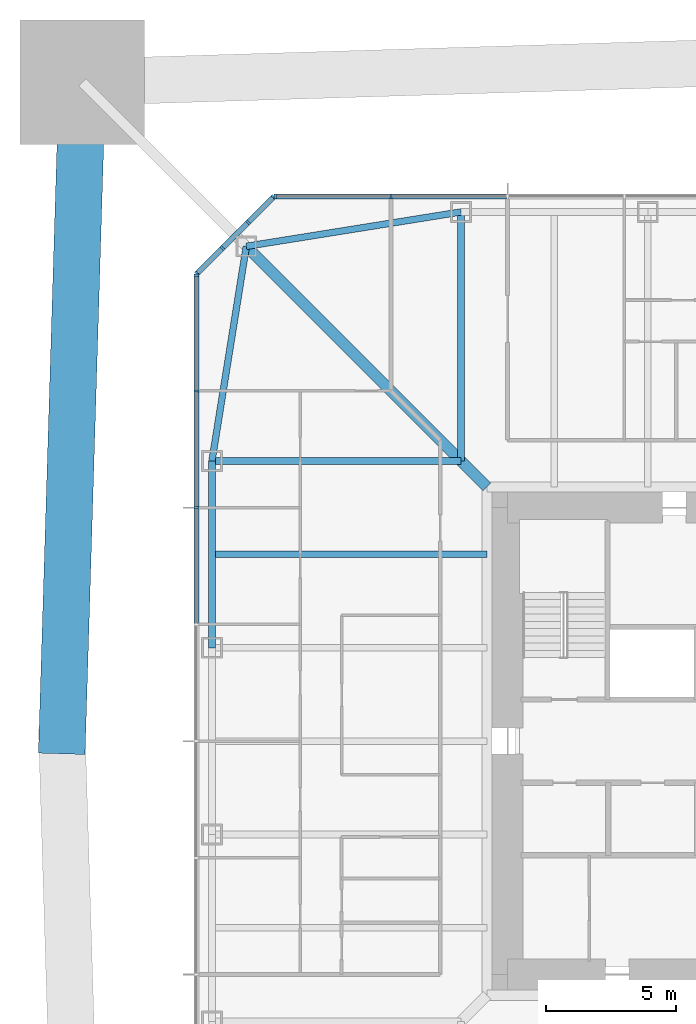
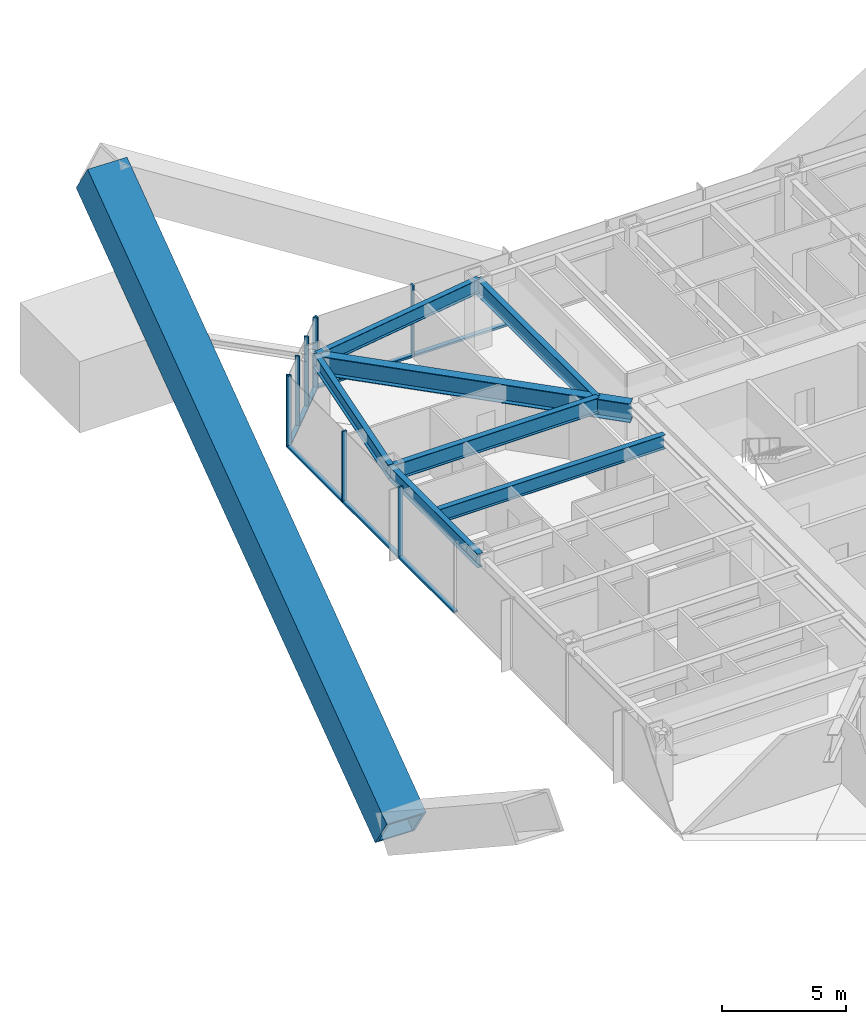
# One storey, part 7 of 28: 18 members, 7 beams, 3 elements without a shape of their own.
"""IFC4 building model written with IfcOpenShell, lengths in metres."""

from ifc_helpers import new_model, si_unit, direction, frame, origin, origin_2d, place, context, subcontext, project, spatial, rectangle, hollow_rectangle, i_section, extrude, material, material_profile, profile_set, type_object, element, aggregate, save


model = new_model("IFC4")

# Units and contexts
model_context = context("Model", 3, precision=1e-05, world=origin(), true_north=direction((0.0, 1.0)))
body_context = subcontext(model_context, "Body", "Model", "MODEL_VIEW")
ifc_project = project(units=[si_unit("LENGTHUNIT", "METRE"), si_unit("AREAUNIT", "SQUARE_METRE"), si_unit("VOLUMEUNIT", "CUBIC_METRE"), si_unit("PLANEANGLEUNIT", "RADIAN"), si_unit("MASSUNIT", "GRAM", prefix="KILO")], contexts=[model_context])

# Site, building, storey
site_placement = place(None, origin())
site = spatial("IfcSite", under=ifc_project, at=site_placement, CompositionType="ELEMENT")
building_placement = place(site_placement, origin())
building = spatial("IfcBuilding", under=site, at=building_placement, Name="Iwan Alto Co-Living Towers", CompositionType="ELEMENT")
storey_placement = place(building_placement, frame((0.0, 0.0, 98.0)))
storey = spatial("IfcBuildingStorey", under=building, at=storey_placement, Name="L26", CompositionType="ELEMENT", Elevation=98.0)

# Curtain wall, members
ifc_material_1 = material(Name="Bronze aluminium unitised frame", Category="aluminium")
curtain_wall_type_1 = type_object("IfcCurtainWallType", Name="CURTAIN WALL CW-A", PredefinedType="NOTDEFINED", material=ifc_material_1)
curtain_wall_1_placement = place(storey_placement, origin())
curtain_wall_1 = element("IfcCurtainWall", 1, at=curtain_wall_1_placement, inside=storey, type_object=curtain_wall_type_1, Name="T1 curtain wall N L26", PredefinedType="NOTDEFINED")
ifc_material_2 = material(Name="Aluminium 6063-T6 bronze anodised", Category="aluminium")
ifc_material_profile_1 = material_profile(ifc_material_2, rectangle(XDim=0.199951171875, YDim=0.080078125, at=origin_2d()), Name="AL 80X200")
ifc_profile_set_1 = profile_set([ifc_material_profile_1], Name="Aluminium 6063-T6 bronze anodised")
member_type_1 = type_object("IfcMemberType", Name="CW-A MULLION 80X200", PredefinedType="MULLION", material=ifc_profile_set_1)
member_1_placement = place(storey_placement, frame((-13.5, 21.0, 0.0), z_axis=(0.0, 0.0, 1.0), x_axis=(0.0, -1.0, 0.0)))
member_1 = element("IfcMember", 2, at=member_1_placement, type_object=member_type_1, Name="CW-A mullion 8", PredefinedType="MULLION", context=body_context, shape_type="SweptSolid", body=[
    extrude(rectangle(XDim=0.199951171875, YDim=0.080078125, at=origin_2d()), origin(), (0.0, 0.0, 1.0), 3.5),
])
member_2_placement = place(storey_placement, frame((-17.9599609375, 21.0, 0.0), z_axis=(0.0, 0.0, 1.0), x_axis=(0.0, -1.0, 0.0)))
member_2 = element("IfcMember", 3, at=member_2_placement, type_object=member_type_1, Name="CW-A mullion 9", PredefinedType="MULLION", context=body_context, shape_type="SweptSolid", body=[
    extrude(rectangle(XDim=0.199951171875, YDim=0.080078125, at=origin_2d()), origin(), (0.0, 0.0, 1.0), 3.5),
])

curtain_wall_2_placement = place(storey_placement, origin())
curtain_wall_2 = element("IfcCurtainWall", 4, at=curtain_wall_2_placement, inside=storey, type_object=curtain_wall_type_1, Name="T1 curtain wall W L26", PredefinedType="NOTDEFINED")
member_3_placement = place(storey_placement, frame((-21.0, 17.9599609375, 0.0), z_axis=(0.0, 0.0, 1.0), x_axis=(1.0, 0.0, 0.0)))
member_3 = element("IfcMember", 5, at=member_3_placement, type_object=member_type_1, Name="CW-A mullion 1", PredefinedType="MULLION", context=body_context, shape_type="SweptSolid", body=[
    extrude(rectangle(XDim=0.199951171875, YDim=0.080078125, at=origin_2d()), origin(), (0.0, 0.0, 1.0), 3.5),
])
member_4_placement = place(storey_placement, frame((-21.0, 13.5, 0.0), z_axis=(0.0, 0.0, 1.0), x_axis=(1.0, 0.0, 0.0)))
member_4 = element("IfcMember", 6, at=member_4_placement, type_object=member_type_1, Name="CW-A mullion 2", PredefinedType="MULLION", context=body_context, shape_type="SweptSolid", body=[
    extrude(rectangle(XDim=0.199951171875, YDim=0.080078125, at=origin_2d()), origin(), (0.0, 0.0, 1.0), 3.5),
])
member_5_placement = place(storey_placement, frame((-21.0, 9.0, 0.0), z_axis=(0.0, 0.0, 1.0), x_axis=(1.0, 0.0, 0.0)))
member_5 = element("IfcMember", 7, at=member_5_placement, type_object=member_type_1, Name="CW-A mullion 3", PredefinedType="MULLION", context=body_context, shape_type="SweptSolid", body=[
    extrude(rectangle(XDim=0.199951171875, YDim=0.080078125, at=origin_2d()), origin(), (0.0, 0.0, 1.0), 3.5),
])

# Member
ifc_material_3 = material(Name="Aluminium 6063-T6 bronze anodised", Category="aluminium")
ifc_material_profile_2 = material_profile(ifc_material_3, rectangle(XDim=0.199951171875, YDim=0.10009765625, at=origin_2d()), Name="AL 200X100")
ifc_profile_set_2 = profile_set([ifc_material_profile_2], Name="Aluminium 6063-T6 bronze anodised")
member_type_2 = type_object("IfcMemberType", Name="CW-A TRANSOM 200X100", PredefinedType="USERDEFINED", material=ifc_profile_set_2)
member_6_placement = place(storey_placement, frame((-9.0400390625, 21.0, 0.050048828125), z_axis=(-1.0, 0.0, 0.0), x_axis=(0.0, -1.0, 0.0)))
member_6 = element("IfcMember", 8, at=member_6_placement, type_object=member_type_2, Name="CW-A transom 7.1", ObjectType="TRANSOM", PredefinedType="USERDEFINED", context=body_context, shape_type="SweptSolid", body=[
    extrude(rectangle(XDim=0.199951171875, YDim=0.10009765625, at=origin_2d()), origin(), (0.0, 0.0, 1.0), 4.419921875),
])

member_7_placement = place(storey_placement, frame((-13.5400390625, 21.0, 0.050048828125), z_axis=(-1.0, 0.0, 0.0), x_axis=(0.0, -1.0, 0.0)))
member_7 = element("IfcMember", 9, at=member_7_placement, type_object=member_type_2, Name="CW-A transom 8.1", ObjectType="TRANSOM", PredefinedType="USERDEFINED", context=body_context, shape_type="SweptSolid", body=[
    extrude(rectangle(XDim=0.199951171875, YDim=0.10009765625, at=origin_2d()), origin(), (0.0, 0.0, 1.0), 4.3798828125),
])

aggregate(curtain_wall_1, [member_1, member_2, member_6, member_7])

member_8_placement = place(storey_placement, frame((-21.0, 17.919921875, 0.050048828125), z_axis=(0.0, -1.0, 0.0), x_axis=(1.0, 0.0, 0.0)))
member_8 = element("IfcMember", 10, at=member_8_placement, type_object=member_type_2, Name="CW-A transom 1.1", ObjectType="TRANSOM", PredefinedType="USERDEFINED", context=body_context, shape_type="SweptSolid", body=[
    extrude(rectangle(XDim=0.199951171875, YDim=0.10009765625, at=origin_2d()), origin(), (0.0, 0.0, 1.0), 4.3798828125),
])

member_9_placement = place(storey_placement, frame((-21.0, 13.4599609375, 0.050048828125), z_axis=(0.0, -1.0, 0.0), x_axis=(1.0, 0.0, 0.0)))
member_9 = element("IfcMember", 11, at=member_9_placement, type_object=member_type_2, Name="CW-A transom 2.1", ObjectType="TRANSOM", PredefinedType="USERDEFINED", context=body_context, shape_type="SweptSolid", body=[
    extrude(rectangle(XDim=0.199951171875, YDim=0.10009765625, at=origin_2d()), origin(), (0.0, 0.0, 1.0), 4.419921875),
])

member_10_placement = place(storey_placement, frame((-21.0, 8.9599609375, 0.050048828125), z_axis=(0.0, -1.0, 0.0), x_axis=(1.0, 0.0, 0.0)))
member_10 = element("IfcMember", 12, at=member_10_placement, type_object=member_type_2, Name="CW-A transom 3.1", ObjectType="TRANSOM", PredefinedType="USERDEFINED", context=body_context, shape_type="SweptSolid", body=[
    extrude(rectangle(XDim=0.199951171875, YDim=0.10009765625, at=origin_2d()), origin(), (0.0, 0.0, 1.0), 4.419921875),
])

aggregate(curtain_wall_2, [member_3, member_4, member_5, member_8, member_9, member_10])

# Curtain wall, members
ifc_material_4 = material(Name="Bronze aluminium unitised frame", Category="aluminium")
curtain_wall_type_2 = type_object("IfcCurtainWallType", Name="CURTAIN WALL CW-B", PredefinedType="NOTDEFINED", material=ifc_material_4)
curtain_wall_3_placement = place(storey_placement, origin())
curtain_wall_3 = element("IfcCurtainWall", 13, at=curtain_wall_3_placement, inside=storey, type_object=curtain_wall_type_2, Name="T1 chamfer curtain wall NW L26", PredefinedType="NOTDEFINED")
ifc_material_5 = material(Name="Aluminium 6063-T6 bronze anodised", Category="aluminium")
ifc_material_profile_3 = material_profile(ifc_material_5, rectangle(XDim=0.199951171875, YDim=0.080078125, at=origin_2d()), Name="AL 80X200")
ifc_profile_set_3 = profile_set([ifc_material_profile_3], Name="Aluminium 6063-T6 bronze anodised")
member_type_3 = type_object("IfcMemberType", Name="CW-B MULLION 80X200", PredefinedType="MULLION", material=ifc_profile_set_3)
member_11_placement = place(storey_placement, frame((-18.0283203125, 20.9716796875, 0.0), z_axis=(0.0, 0.0, 1.0), x_axis=(0.707106781187, -0.707106781187, 0.0)))
member_11 = element("IfcMember", 14, at=member_11_placement, type_object=member_type_3, Name="CW-B mullion 1", PredefinedType="MULLION", context=body_context, shape_type="SweptSolid", body=[
    extrude(rectangle(XDim=0.199951171875, YDim=0.080078125, at=origin_2d()), origin(), (0.0, 0.0, 1.0), 3.5),
])
member_12_placement = place(storey_placement, frame((-19.0, 20.0, 0.0), z_axis=(0.0, 0.0, 1.0), x_axis=(0.707106781187, -0.707106781187, 0.0)))
member_12 = element("IfcMember", 15, at=member_12_placement, type_object=member_type_3, Name="CW-B mullion 2", PredefinedType="MULLION", context=body_context, shape_type="SweptSolid", body=[
    extrude(rectangle(XDim=0.199951171875, YDim=0.080078125, at=origin_2d()), origin(), (0.0, 0.0, 1.0), 3.5),
])
member_13_placement = place(storey_placement, frame((-20.0, 19.0, 0.0), z_axis=(0.0, 0.0, 1.0), x_axis=(0.707106781187, -0.707106781187, 0.0)))
member_13 = element("IfcMember", 16, at=member_13_placement, type_object=member_type_3, Name="CW-B mullion 3", PredefinedType="MULLION", context=body_context, shape_type="SweptSolid", body=[
    extrude(rectangle(XDim=0.199951171875, YDim=0.080078125, at=origin_2d()), origin(), (0.0, 0.0, 1.0), 3.5),
])
member_14_placement = place(storey_placement, frame((-20.9716796875, 18.0283203125, 0.0), z_axis=(0.0, 0.0, 1.0), x_axis=(0.707106781187, -0.707106781187, 0.0)))
member_14 = element("IfcMember", 17, at=member_14_placement, type_object=member_type_3, Name="CW-B mullion 4", PredefinedType="MULLION", context=body_context, shape_type="SweptSolid", body=[
    extrude(rectangle(XDim=0.199951171875, YDim=0.080078125, at=origin_2d()), origin(), (0.0, 0.0, 1.0), 3.5),
])
ifc_material_6 = material(Name="Aluminium 6063-T6 bronze anodised", Category="aluminium")
ifc_material_profile_4 = material_profile(ifc_material_6, rectangle(XDim=0.199951171875, YDim=0.10009765625, at=origin_2d()), Name="AL 200X100")
ifc_profile_set_4 = profile_set([ifc_material_profile_4], Name="Aluminium 6063-T6 bronze anodised")
member_type_4 = type_object("IfcMemberType", Name="CW-B TRANSOM 200X100", PredefinedType="USERDEFINED", material=ifc_profile_set_4)
member_15_placement = place(storey_placement, frame((-18.056640625, 20.943359375, 0.050048828125), z_axis=(-0.707106781187, -0.707106781187, 0.0), x_axis=(0.707106781187, -0.707106781187, 0.0)))
member_15 = element("IfcMember", 18, at=member_15_placement, type_object=member_type_4, Name="CW-B transom 1.1", ObjectType="TRANSOM", PredefinedType="USERDEFINED", context=body_context, shape_type="SweptSolid", body=[
    extrude(rectangle(XDim=0.199951171875, YDim=0.10009765625, at=origin_2d()), origin(), (0.0, 0.0, 1.0), 1.2939453125),
])
member_16_placement = place(storey_placement, frame((-19.0283203125, 19.9716796875, 0.050048828125), z_axis=(-0.707106781187, -0.707106781187, 0.0), x_axis=(0.707106781187, -0.707106781187, 0.0)))
member_16 = element("IfcMember", 19, at=member_16_placement, type_object=member_type_4, Name="CW-B transom 2.1", ObjectType="TRANSOM", PredefinedType="USERDEFINED", context=body_context, shape_type="SweptSolid", body=[
    extrude(rectangle(XDim=0.199951171875, YDim=0.10009765625, at=origin_2d()), origin(), (0.0, 0.0, 1.0), 1.334228515625),
])
member_17_placement = place(storey_placement, frame((-20.0283203125, 18.9716796875, 0.050048828125), z_axis=(-0.707106781187, -0.707106781187, 0.0), x_axis=(0.707106781187, -0.707106781187, 0.0)))
member_17 = element("IfcMember", 20, at=member_17_placement, type_object=member_type_4, Name="CW-B transom 3.1", ObjectType="TRANSOM", PredefinedType="USERDEFINED", context=body_context, shape_type="SweptSolid", body=[
    extrude(rectangle(XDim=0.199951171875, YDim=0.10009765625, at=origin_2d()), origin(), (0.0, 0.0, 1.0), 1.2939453125),
])
aggregate(curtain_wall_3, [member_11, member_12, member_13, member_14, member_15, member_16, member_17])

# Beams
ifc_material_7 = material(Name="Steel ASTM A992 Gr 50", Category="steel")
ifc_material_profile_5 = material_profile(ifc_material_7, i_section(OverallWidth=0.419189453125, OverallDepth=0.927001953125, WebThickness=0.019287109375, FlangeThickness=0.031982421875, at=origin_2d()), Name="W36X231")
ifc_profile_set_5 = profile_set([ifc_material_profile_5], Name="Steel ASTM A992 Gr 50")
beam_type_1 = type_object("IfcBeamType", Name="T1 CORNER GIRDER W36X231", PredefinedType="BEAM", material=ifc_profile_set_5)
beam_1_placement = place(storey_placement, frame((-19.07568359375, 19.07568359375, 2.806396484375), z_axis=(0.707106781187, -0.707106781187, 0.0), x_axis=(0.707106781187, 0.707106781187, 0.0)))
element("IfcBeam", 21, at=beam_1_placement, inside=storey, type_object=beam_type_1, Name="T1 corner girder CNW L27", PredefinedType="BEAM", context=body_context, shape_type="SweptSolid", body=[
    extrude(i_section(OverallWidth=0.419189453125, OverallDepth=0.927001953125, WebThickness=0.019287109375, FlangeThickness=0.031982421875, at=origin_2d()), origin(), (0.0, 0.0, 1.0), 13.11865234375),
])
ifc_material_8 = material(Name="Steel ASTM A992 Gr 50", Category="steel")
ifc_material_profile_6 = material_profile(ifc_material_8, i_section(OverallWidth=0.25390625, OverallDepth=0.683349609375, WebThickness=0.012451171875, FlangeThickness=0.018798828125, at=origin_2d()), Name="W27X94")
ifc_profile_set_6 = profile_set([ifc_material_profile_6], Name="Steel ASTM A992 Gr 50")
beam_type_2 = type_object("IfcBeamType", Name="T1 EDGE BEAM W27X94", PredefinedType="BEAM", material=ifc_profile_set_6)
for number, where, z_axis, x_axis, name in (
    (22, (-10.800048828125, 20.39990234375, 2.928466796875), (-0.987438450439, -0.158004134737, 0.0), (0.158004134737, -0.987438450439, 0.0), "T1 edge beam N4 L27"),
    (23, (-19.07568359375, 19.07568359375, 2.928466796875), (-0.158004134737, -0.987438450439, 0.0), (0.987438450439, -0.158004134737, 0.0), "T1 edge beam CNW L27"),
):
    element("IfcBeam", number, at=place(storey_placement, frame(where, z_axis=z_axis, x_axis=x_axis)), inside=storey, type_object=beam_type_2, Name=name, PredefinedType="BEAM", context=body_context, shape_type="SweptSolid", body=[
        extrude(i_section(OverallWidth=0.25390625, OverallDepth=0.683349609375, WebThickness=0.012451171875, FlangeThickness=0.018798828125, at=origin_2d()), origin(), (0.0, 0.0, 1.0), 8.380859375),
    ])
beam_2_placement = place(storey_placement, frame((-20.39990234375, 10.800048828125, 2.928466796875), z_axis=(0.0, -1.0, 0.0), x_axis=(1.0, 0.0, 0.0)))
element("IfcBeam", 24, at=beam_2_placement, inside=storey, type_object=beam_type_2, Name="T1 edge beam W1 L27", PredefinedType="BEAM", context=body_context, shape_type="SweptSolid", body=[
    extrude(i_section(OverallWidth=0.25390625, OverallDepth=0.683349609375, WebThickness=0.012451171875, FlangeThickness=0.018798828125, at=origin_2d()), origin(), (0.0, 0.0, 1.0), 7.199951171875),
])

# Member
ifc_material_9 = material(Name="Steel ASTM A572 Gr 42", Category="steel")
ifc_material_profile_7 = material_profile(ifc_material_9, hollow_rectangle(XDim=1.800048828125, YDim=1.800048828125, WallThickness=0.1298828125, at=origin_2d()), Name="BOX 1800X1800X130")
ifc_profile_set_7 = profile_set([ifc_material_profile_7], Name="Steel ASTM A572 Gr 42")
member_type_5 = type_object("IfcMemberType", Name="T1 MEGA BRACE BOX 1800X1800X130", PredefinedType="BRACE", material=ifc_profile_set_7)
member_18_placement = place(storey_placement, frame((-26.175537109375, 0.0, -5.98095703125), z_axis=(0.025608430733, 0.838605576524, 0.544136835087), x_axis=(-0.999534074116, 0.030522691262, 0.0)))
element("IfcMember", 25, at=member_18_placement, inside=storey, type_object=member_type_5, Name="T1 mega brace Z2A W 2 upper", PredefinedType="BRACE", context=body_context, shape_type="SweptSolid", body=[
    extrude(hollow_rectangle(XDim=1.800048828125, YDim=1.800048828125, WallThickness=0.1298828125, at=origin_2d()), origin(), (0.0, 0.0, 1.0), 30.288330078125),
])

# Beams
ifc_material_10 = material(Name="Steel ASTM A992 Gr 50", Category="steel")
ifc_material_profile_8 = material_profile(ifc_material_10, i_section(OverallWidth=0.2666015625, OverallDepth=0.761962890625, WebThickness=0.014404296875, FlangeThickness=0.021484375, at=origin_2d()), Name="W30X116")
ifc_profile_set_8 = profile_set([ifc_material_profile_8], Name="Steel ASTM A992 Gr 50")
beam_type_3 = type_object("IfcBeamType", Name="T1 RADIAL BEAM W30X116", PredefinedType="BEAM", material=ifc_profile_set_8)
for number, where, z_axis, x_axis, name in (
    (26, (-10.800048828125, 20.39990234375, 2.888916015625), (0.0, -1.0, 0.0), (1.0, 0.0, 0.0), "T1 radial beam N4 L27"),
    (27, (-20.39990234375, 10.800048828125, 2.888916015625), (1.0, 0.0, 0.0), (0.0, 1.0, 0.0), "T1 radial beam W1 L27"),
):
    element("IfcBeam", number, at=place(storey_placement, frame(where, z_axis=z_axis, x_axis=x_axis)), inside=storey, type_object=beam_type_3, Name=name, PredefinedType="BEAM", context=body_context, shape_type="SweptSolid", body=[
        extrude(i_section(OverallWidth=0.2666015625, OverallDepth=0.761962890625, WebThickness=0.014404296875, FlangeThickness=0.021484375, at=origin_2d()), origin(), (0.0, 0.0, 1.0), 9.599853515625),
    ])
ifc_material_11 = material(Name="Steel ASTM A992 Gr 50", Category="steel")
ifc_material_profile_9 = material_profile(ifc_material_11, i_section(OverallWidth=0.25390625, OverallDepth=0.683349609375, WebThickness=0.012451171875, FlangeThickness=0.018798828125, at=origin_2d()), Name="W27X94")
ifc_profile_set_9 = profile_set([ifc_material_profile_9], Name="Steel ASTM A992 Gr 50")
beam_type_4 = type_object("IfcBeamType", Name="T1 SECONDARY BEAM W27X94", PredefinedType="JOIST", material=ifc_profile_set_9)
beam_3_placement = place(storey_placement, frame((-20.39990234375, 7.199951171875, 2.928466796875), z_axis=(1.0, 0.0, 0.0), x_axis=(0.0, 1.0, 0.0)))
element("IfcBeam", 28, at=beam_3_placement, inside=storey, type_object=beam_type_4, Name="T1 secondary beam W1 L27", PredefinedType="JOIST", context=body_context, shape_type="SweptSolid", body=[
    extrude(i_section(OverallWidth=0.25390625, OverallDepth=0.683349609375, WebThickness=0.012451171875, FlangeThickness=0.018798828125, at=origin_2d()), origin(), (0.0, 0.0, 1.0), 10.6005859375),
])

save(model, "model.ifc")
